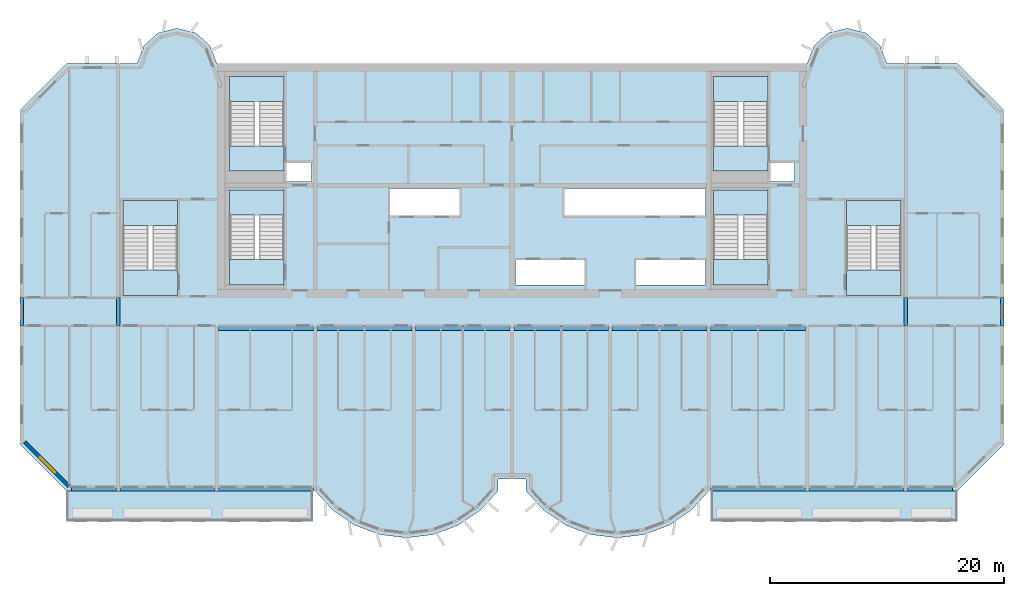
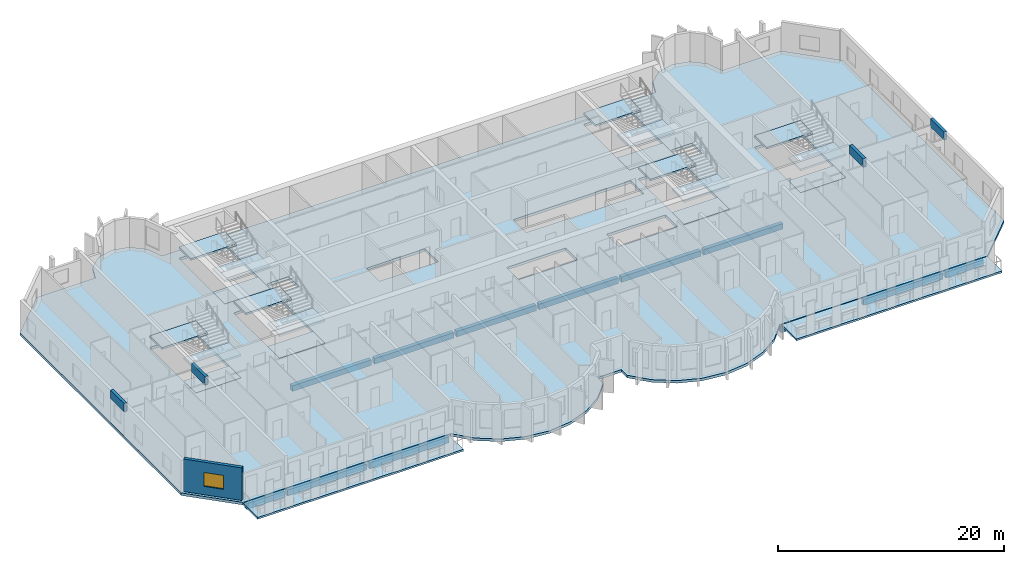
# One storey, part 1 of 13: 21 slabs, 16 beams, 1 wall, 1 window, 1 opening, 6 elements without a shape of their own.
"""IFC4 building model written with IfcOpenShell, lengths in metres."""

from ifc_helpers import new_model, si_unit, direction, frame, frame_2d, origin, origin_2d, place, context, subcontext, project, spatial, polyline, rectangle, outline, extrude, source, transform, mapped, material, layer, layer_set, material_profile, profile_set, type_object, element, fill, aggregate, save


model = new_model("IFC4")

# Units and contexts
model_context = context("Model", 3, precision=1e-05, world=origin(), true_north=direction((0.0, 1.0)))
body_context = subcontext(model_context, "Body", "Model", "MODEL_VIEW")
ifc_project = project(units=[si_unit("LENGTHUNIT", "METRE"), si_unit("AREAUNIT", "SQUARE_METRE"), si_unit("VOLUMEUNIT", "CUBIC_METRE"), si_unit("PLANEANGLEUNIT", "RADIAN"), si_unit("MASSUNIT", "GRAM", prefix="KILO")], contexts=[model_context])

# Site, building, storey
site_placement = place(None, origin())
site = spatial("IfcSite", under=ifc_project, at=site_placement, CompositionType="ELEMENT")
building_placement = place(site_placement, origin())
building = spatial("IfcBuilding", under=site, at=building_placement, Name="Vanashikhar Sky Hotel", CompositionType="ELEMENT")
storey_placement = place(building_placement, frame((0.0, 0.0, 178.199951171875)))
storey = spatial("IfcBuildingStorey", under=building, at=storey_placement, Name="L43", CompositionType="ELEMENT", Elevation=178.199951171875)

# Beams
ifc_material_1 = material(Name="Concrete M50", Category="concrete")
ifc_material_profile_1 = material_profile(ifc_material_1, rectangle(XDim=0.300048828125, YDim=0.89990234375, at=origin_2d()))
ifc_profile_set_1 = profile_set([ifc_material_profile_1], Name="RC 300x900 beam Concrete M50")
beam_type_1 = type_object("IfcBeamType", Name="RC 300x900 beam Concrete M50", PredefinedType="LINTEL", material=ifc_profile_set_1)
shared_shape_1 = source(origin(), body_context, "Body", "SweptSolid", [
    extrude(rectangle(XDim=0.300048828125, YDim=0.89990234375, at=origin_2d()), origin(), (0.0, 0.0, 1.0), 2.39990234375),
])
for number, where, z_axis, x_axis, name in (
    (1, (8.550048828125, 19.60009765625, 3.070068359375), (0.0, 1.0, 0.0), (-1.0, 0.0, 0.0), "LB-L43-XW02"),
    (2, (16.800048828125, 19.60009765625, 3.070068359375), (0.0, 1.0, 0.0), (-1.0, 0.0, 0.0), "LB-L43-XW03"),
    (3, (84.0, 19.60009765625, 3.070068359375), (0.0, 1.0, 0.0), (-1.0, 0.0, 0.0), "LB-L43-XW11"),
    (4, (92.25, 19.60009765625, 3.070068359375), (0.0, 1.0, 0.0), (-1.0, 0.0, 0.0), "LB-L43-XW12"),
):
    element("IfcBeam", number, at=place(storey_placement, frame(where, z_axis=z_axis, x_axis=x_axis)), inside=storey, type_object=beam_type_1, Name=name, PredefinedType="LINTEL", context=body_context, shape_type="MappedRepresentation", body=[
        mapped(shared_shape_1, transform((0.0, 0.0, 0.0), scale=1.0)),
    ])
ifc_material_profile_2 = material_profile(ifc_material_1, rectangle(XDim=0.39990234375, YDim=0.64990234375, at=origin_2d()))
ifc_profile_set_2 = profile_set([ifc_material_profile_2], Name="RC 400x650 beam Concrete M50")
beam_type_2 = type_object("IfcBeamType", Name="RC 400x650 beam Concrete M50", PredefinedType="BEAM", material=ifc_profile_set_2)
shared_shape_2 = source(origin(), body_context, "Body", "SweptSolid", [
    extrude(rectangle(XDim=0.39990234375, YDim=0.64990234375, at=origin_2d()), origin(), (0.0, 0.0, 1.0), 8.10009765625),
])
for number, where, z_axis, x_axis, name in (
    (5, (16.949951171875, 5.699951171875, -0.60498046875), (1.0, 0.0, 0.0), (0.0, 1.0, 0.0), "EB-L43-F01"),
    (6, (75.75, 5.699951171875, -0.60498046875), (1.0, 0.0, 0.0), (0.0, 1.0, 0.0), "EB-L43-F05"),
):
    element("IfcBeam", number, at=place(storey_placement, frame(where, z_axis=z_axis, x_axis=x_axis)), inside=storey, type_object=beam_type_2, Name=name, PredefinedType="BEAM", context=body_context, shape_type="MappedRepresentation", body=[
        mapped(shared_shape_2, transform((0.0, 0.0, 0.0), scale=1.0)),
    ])
shared_shape_3 = source(origin(), body_context, "Body", "SweptSolid", [
    extrude(rectangle(XDim=0.39990234375, YDim=0.64990234375, at=origin_2d()), origin(), (0.0, 0.0, 1.0), 8.099853515625),
])
for number, where, z_axis, x_axis, name in (
    (7, (25.35009765625, 5.699951171875, -0.60498046875), (1.0, 0.0, 0.0), (0.0, 1.0, 0.0), "EB-L43-F02"),
    (8, (67.35009765625, 5.699951171875, -0.60498046875), (1.0, 0.0, 0.0), (0.0, 1.0, 0.0), "EB-L43-F04"),
):
    element("IfcBeam", number, at=place(storey_placement, frame(where, z_axis=z_axis, x_axis=x_axis)), inside=storey, type_object=beam_type_2, Name=name, PredefinedType="BEAM", context=body_context, shape_type="MappedRepresentation", body=[
        mapped(shared_shape_3, transform((0.0, 0.0, 0.0), scale=1.0)),
    ])
ifc_material_profile_3 = material_profile(ifc_material_1, rectangle(XDim=0.39990234375, YDim=0.64990234375, at=origin_2d()))
ifc_profile_set_3 = profile_set([ifc_material_profile_3], Name="RC 400x650 cantilever beam Concrete M50")
beam_type_3 = type_object("IfcBeamType", Name="RC 400x650 cantilever beam Concrete M50", PredefinedType="SPANDREL", material=ifc_profile_set_3)
shared_shape_4 = source(origin(), body_context, "Body", "SweptSolid", [
    extrude(rectangle(XDim=0.39990234375, YDim=0.64990234375, at=origin_2d()), origin(), (0.0, 0.0, 1.0), 3.849853515625),
])
beam_1_placement = place(storey_placement, frame((12.800048828125, 5.699951171875, -0.60498046875), z_axis=(1.0, 0.0, 0.0), x_axis=(0.0, 1.0, 0.0)))
element("IfcBeam", 9, at=beam_1_placement, inside=storey, type_object=beam_type_3, Name="EB-L43-F03", PredefinedType="SPANDREL", context=body_context, shape_type="MappedRepresentation", body=[
    mapped(shared_shape_4, transform((0.0, 0.0, 0.0), scale=1.0)),
])
shared_shape_5 = source(origin(), body_context, "Body", "SweptSolid", [
    extrude(rectangle(XDim=0.39990234375, YDim=0.64990234375, at=origin_2d()), origin(), (0.0, 0.0, 1.0), 3.85009765625),
])
beam_2_placement = place(storey_placement, frame((84.14990234375, 5.699951171875, -0.60498046875), z_axis=(1.0, 0.0, 0.0), x_axis=(0.0, 1.0, 0.0)))
element("IfcBeam", 10, at=beam_2_placement, inside=storey, type_object=beam_type_3, Name="EB-L43-F06", PredefinedType="SPANDREL", context=body_context, shape_type="MappedRepresentation", body=[
    mapped(shared_shape_5, transform((0.0, 0.0, 0.0), scale=1.0)),
])
ifc_material_profile_4 = material_profile(ifc_material_1, rectangle(XDim=0.39990234375, YDim=0.60009765625, at=origin_2d()))
ifc_profile_set_4 = profile_set([ifc_material_profile_4], Name="RC 400x600 beam Concrete M50")
beam_type_4 = type_object("IfcBeamType", Name="RC 400x600 beam Concrete M50", PredefinedType="BEAM", material=ifc_profile_set_4)
shared_shape_6 = source(origin(), body_context, "Body", "SweptSolid", [
    extrude(rectangle(XDim=0.39990234375, YDim=0.60009765625, at=origin_2d()), origin(), (0.0, 0.0, 1.0), 8.099853515625),
])
for number, where, z_axis, x_axis, name in (
    (11, (25.35009765625, 19.39990234375, -0.579833984375), (1.0, 0.0, 0.0), (0.0, 1.0, 0.0), "CB-L43-01"),
    (12, (50.550048828125, 19.39990234375, -0.579833984375), (1.0, 0.0, 0.0), (0.0, 1.0, 0.0), "CB-L43-04"),
    (13, (67.35009765625, 19.39990234375, -0.579833984375), (1.0, 0.0, 0.0), (0.0, 1.0, 0.0), "CB-L43-06"),
):
    element("IfcBeam", number, at=place(storey_placement, frame(where, z_axis=z_axis, x_axis=x_axis)), inside=storey, type_object=beam_type_4, Name=name, PredefinedType="BEAM", context=body_context, shape_type="MappedRepresentation", body=[
        mapped(shared_shape_6, transform((0.0, 0.0, 0.0), scale=1.0)),
    ])
shared_shape_7 = source(origin(), body_context, "Body", "SweptSolid", [
    extrude(rectangle(XDim=0.39990234375, YDim=0.60009765625, at=origin_2d()), origin(), (0.0, 0.0, 1.0), 8.10009765625),
])
for number, where, z_axis, x_axis, name in (
    (14, (33.75, 19.39990234375, -0.579833984375), (1.0, 0.0, 0.0), (0.0, 1.0, 0.0), "CB-L43-02"),
    (15, (42.14990234375, 19.39990234375, -0.579833984375), (1.0, 0.0, 0.0), (0.0, 1.0, 0.0), "CB-L43-03"),
    (16, (58.949951171875, 19.39990234375, -0.579833984375), (1.0, 0.0, 0.0), (0.0, 1.0, 0.0), "CB-L43-05"),
):
    element("IfcBeam", number, at=place(storey_placement, frame(where, z_axis=z_axis, x_axis=x_axis)), inside=storey, type_object=beam_type_4, Name=name, PredefinedType="BEAM", context=body_context, shape_type="MappedRepresentation", body=[
        mapped(shared_shape_7, transform((0.0, 0.0, 0.0), scale=1.0)),
    ])

# Slabs
ifc_material_2 = material(Name="Concrete M40", Category="concrete")
ifc_layer_1 = layer(ifc_material_2, 0.280029296875)
ifc_layer_set_1 = layer_set([ifc_layer_1], Name="Floor slab 280 mm")
slab_type_1 = type_object("IfcSlabType", Name="Floor slab 280 mm", PredefinedType="FLOOR", material=ifc_layer_set_1)
shared_shape_8 = source(origin(), body_context, "Body", "SweptSolid", [
    extrude(outline(polyline([(49.199951171875, 5.5), (49.199951171875, 6.5), (51.60009765625, 6.5), (51.60009765625, 5.5), (53.133056640625, 3.825927734375), (55.01708984375, 2.55810546875), (57.14599609375, 1.76806640625), (59.39990234375, 1.5), (61.654052734375, 1.76806640625), (63.782958984375, 2.55810546875), (65.6669921875, 3.825927734375), (67.199951171875, 5.5), (88.39990234375, 5.5), (92.39990234375, 9.5), (92.39990234375, 38.0), (88.39990234375, 42.0), (82.39990234375, 42.0), (81.81494140625, 43.527099609375), (80.587890625, 44.610107421875), (79.0, 45.0), (77.412109375, 44.610107421875), (76.18505859375, 43.527099609375), (75.60009765625, 42.0), (25.199951171875, 42.0), (24.614990234375, 43.527099609375), (23.387939453125, 44.610107421875), (21.800048828125, 45.0), (20.2119140625, 44.610107421875), (18.985107421875, 43.527099609375), (18.39990234375, 42.0), (12.39990234375, 42.0), (8.39990234375, 38.0), (8.39990234375, 9.5), (12.39990234375, 5.5), (33.60009765625, 5.5), (35.133056640625, 3.825927734375), (37.01708984375, 2.55810546875), (39.14599609375, 1.76806640625), (41.39990234375, 1.5), (43.654052734375, 1.76806640625), (45.782958984375, 2.55810546875), (47.6669921875, 3.825927734375), (49.199951171875, 5.5)]), holes=[polyline([(33.300048828125, 33.60009765625), (31.050048828125, 33.60009765625), (31.050048828125, 31.89990234375), (33.300048828125, 31.89990234375), (33.300048828125, 33.60009765625)]), polyline([(39.89990234375, 31.300048828125), (39.89990234375, 29.0), (45.89990234375, 29.0), (45.89990234375, 31.300048828125), (39.89990234375, 31.300048828125)]), polyline([(50.699951171875, 25.199951171875), (50.699951171875, 23.10009765625), (56.699951171875, 23.10009765625), (56.699951171875, 25.199951171875), (50.699951171875, 25.199951171875)]), polyline([(66.89990234375, 29.0), (66.89990234375, 31.300048828125), (54.89990234375, 31.300048828125), (54.89990234375, 29.0), (66.89990234375, 29.0)]), polyline([(60.89990234375, 25.199951171875), (60.89990234375, 23.10009765625), (66.89990234375, 23.10009765625), (66.89990234375, 25.199951171875), (60.89990234375, 25.199951171875)]), polyline([(74.5, 33.60009765625), (72.35009765625, 33.60009765625), (72.35009765625, 31.89990234375), (74.5, 31.89990234375), (74.5, 33.60009765625)]), polyline([(30.949951171875, 23.10009765625), (30.949951171875, 31.199951171875), (26.300048828125, 31.199951171875), (26.300048828125, 23.10009765625), (30.949951171875, 23.10009765625)]), polyline([(72.25, 23.10009765625), (72.25, 31.199951171875), (67.60009765625, 31.199951171875), (67.60009765625, 23.10009765625), (72.25, 23.10009765625)]), polyline([(30.949951171875, 32.800048828125), (30.949951171875, 40.89990234375), (26.300048828125, 40.89990234375), (26.300048828125, 32.800048828125), (30.949951171875, 32.800048828125)]), polyline([(72.25, 32.800048828125), (72.25, 40.89990234375), (67.60009765625, 40.89990234375), (67.60009765625, 32.800048828125), (72.25, 32.800048828125)]), polyline([(83.60009765625, 22.199951171875), (83.60009765625, 30.300048828125), (78.949951171875, 30.300048828125), (78.949951171875, 22.199951171875), (83.60009765625, 22.199951171875)]), polyline([(21.85009765625, 22.199951171875), (21.85009765625, 30.300048828125), (17.199951171875, 30.300048828125), (17.199951171875, 22.199951171875), (21.85009765625, 22.199951171875)])]), origin(), (0.0, 0.0, 1.0), 0.280029296875),
])
slab_1_placement = place(storey_placement, frame((0.0, 0.0, -0.280029296875)))
element("IfcSlab", 17, at=slab_1_placement, inside=storey, type_object=slab_type_1, Name="Floor slab L43", PredefinedType="FLOOR", context=body_context, shape_type="MappedRepresentation", body=[
    mapped(shared_shape_8, transform((0.0, 0.0, 0.0), scale=1.0)),
])
ifc_layer_2 = layer(ifc_material_2, 0.199951171875)
ifc_layer_set_2 = layer_set([ifc_layer_2], Name="Balcony slab 200 mm")
slab_type_2 = type_object("IfcSlabType", Name="Balcony slab 200 mm", PredefinedType="USERDEFINED", material=ifc_layer_set_2)
shared_shape_9 = source(origin(), body_context, "Body", "SweptSolid", [
    extrude(outline(polyline([(12.39990234375, 2.89990234375), (33.39990234375, 2.89990234375), (33.39990234375, 5.5), (12.39990234375, 5.5), (12.39990234375, 2.89990234375)])), origin(), (0.0, 0.0, 1.0), 0.199951171875),
])
slab_2_placement = place(storey_placement, frame((0.0, 0.0, -0.25)))
element("IfcSlab", 18, at=slab_2_placement, inside=storey, type_object=slab_type_2, Name="Balcony slab L43 1", ObjectType="BALCONY", PredefinedType="USERDEFINED", context=body_context, shape_type="MappedRepresentation", body=[
    mapped(shared_shape_9, transform((0.0, 0.0, 0.0), scale=1.0)),
])
shared_shape_10 = source(origin(), body_context, "Body", "SweptSolid", [
    extrude(outline(polyline([(67.39990234375, 2.89990234375), (88.39990234375, 2.89990234375), (88.39990234375, 5.5), (67.39990234375, 5.5), (67.39990234375, 2.89990234375)])), origin(), (0.0, 0.0, 1.0), 0.199951171875),
])
slab_3_placement = place(storey_placement, frame((0.0, 0.0, -0.25)))
element("IfcSlab", 19, at=slab_3_placement, inside=storey, type_object=slab_type_2, Name="Balcony slab L43 2", ObjectType="BALCONY", PredefinedType="USERDEFINED", context=body_context, shape_type="MappedRepresentation", body=[
    mapped(shared_shape_10, transform((0.0, 0.0, 0.0), scale=1.0)),
])

# Stair, slabs
stair_type = type_object("IfcStairType", Name="Exit stair 2150", PredefinedType="DOUBLE_RETURN_STAIR", material=ifc_material_2)
stair_1_placement = place(storey_placement, origin())
stair_1 = element("IfcStair", 20, at=stair_1_placement, inside=storey, type_object=stair_type, Name="L43 Exit stair 1", PredefinedType="DOUBLE_RETURN_STAIR")
ifc_layer_3 = layer(ifc_material_2, 0.199951171875)
ifc_layer_set_3 = layer_set([ifc_layer_3], Name="Stair landing 200")
slab_type_3 = type_object("IfcSlabType", Name="Stair landing 200", PredefinedType="LANDING", material=ifc_layer_set_3)
shared_shape_11 = source(origin(), body_context, "Body", "SweptSolid", [
    extrude(outline(polyline([(30.949951171875, 29.050048828125), (30.949951171875, 31.199951171875), (26.300048828125, 31.199951171875), (26.300048828125, 29.050048828125), (30.949951171875, 29.050048828125)])), origin(), (0.0, 0.0, 1.0), 0.199951171875),
])
slab_4_placement = place(storey_placement, frame((0.0, 0.0, 1.066650390625)))
slab_4 = element("IfcSlab", 21, at=slab_4_placement, type_object=slab_type_3, Name="ST-C1 landing 1", PredefinedType="LANDING", context=body_context, shape_type="MappedRepresentation", body=[
    mapped(shared_shape_11, transform((0.0, 0.0, 0.0), scale=1.0)),
])
shared_shape_12 = source(origin(), body_context, "Body", "SweptSolid", [
    extrude(outline(polyline([(30.949951171875, 23.10009765625), (30.949951171875, 25.25), (26.300048828125, 25.25), (26.300048828125, 23.10009765625), (30.949951171875, 23.10009765625)])), origin(), (0.0, 0.0, 1.0), 0.199951171875),
])
slab_5_placement = place(storey_placement, frame((0.0, 0.0, 2.33349609375)))
slab_5 = element("IfcSlab", 22, at=slab_5_placement, type_object=slab_type_3, Name="ST-C1 landing 2", PredefinedType="LANDING", context=body_context, shape_type="MappedRepresentation", body=[
    mapped(shared_shape_12, transform((0.0, 0.0, 0.0), scale=1.0)),
])
aggregate(stair_1, [slab_4, slab_5])

# Slab
ifc_layer_4 = layer(ifc_material_2, 0.280029296875)
ifc_layer_set_4 = layer_set([ifc_layer_4], Name="Stair floor landing 280")
slab_type_4 = type_object("IfcSlabType", Name="Stair floor landing 280", PredefinedType="LANDING", material=ifc_layer_set_4)
shared_shape_13 = source(origin(), body_context, "Body", "SweptSolid", [
    extrude(outline(polyline([(30.949951171875, 23.10009765625), (30.949951171875, 25.25), (26.300048828125, 25.25), (26.300048828125, 23.10009765625), (30.949951171875, 23.10009765625)])), origin(), (0.0, 0.0, 1.0), 0.280029296875),
])
slab_6_placement = place(storey_placement, frame((0.0, 0.0, -0.280029296875)))
element("IfcSlab", 23, at=slab_6_placement, inside=storey, type_object=slab_type_4, Name="Exit stair 1 floor landing", PredefinedType="LANDING", context=body_context, shape_type="MappedRepresentation", body=[
    mapped(shared_shape_13, transform((0.0, 0.0, 0.0), scale=1.0)),
])

# Stair, slabs
stair_2_placement = place(storey_placement, origin())
stair_2 = element("IfcStair", 24, at=stair_2_placement, inside=storey, type_object=stair_type, Name="L43 Exit stair 2", PredefinedType="DOUBLE_RETURN_STAIR")
shared_shape_14 = source(origin(), body_context, "Body", "SweptSolid", [
    extrude(outline(polyline([(72.25, 29.050048828125), (72.25, 31.199951171875), (67.60009765625, 31.199951171875), (67.60009765625, 29.050048828125), (72.25, 29.050048828125)])), origin(), (0.0, 0.0, 1.0), 0.199951171875),
])
slab_7_placement = place(storey_placement, frame((0.0, 0.0, 1.066650390625)))
slab_7 = element("IfcSlab", 25, at=slab_7_placement, type_object=slab_type_3, Name="ST-C2 landing 1", PredefinedType="LANDING", context=body_context, shape_type="MappedRepresentation", body=[
    mapped(shared_shape_14, transform((0.0, 0.0, 0.0), scale=1.0)),
])
shared_shape_15 = source(origin(), body_context, "Body", "SweptSolid", [
    extrude(outline(polyline([(72.25, 23.10009765625), (72.25, 25.25), (67.60009765625, 25.25), (67.60009765625, 23.10009765625), (72.25, 23.10009765625)])), origin(), (0.0, 0.0, 1.0), 0.199951171875),
])
slab_8_placement = place(storey_placement, frame((0.0, 0.0, 2.33349609375)))
slab_8 = element("IfcSlab", 26, at=slab_8_placement, type_object=slab_type_3, Name="ST-C2 landing 2", PredefinedType="LANDING", context=body_context, shape_type="MappedRepresentation", body=[
    mapped(shared_shape_15, transform((0.0, 0.0, 0.0), scale=1.0)),
])
aggregate(stair_2, [slab_7, slab_8])

# Slab
shared_shape_16 = source(origin(), body_context, "Body", "SweptSolid", [
    extrude(outline(polyline([(72.25, 23.10009765625), (72.25, 25.25), (67.60009765625, 25.25), (67.60009765625, 23.10009765625), (72.25, 23.10009765625)])), origin(), (0.0, 0.0, 1.0), 0.280029296875),
])
slab_9_placement = place(storey_placement, frame((0.0, 0.0, -0.280029296875)))
element("IfcSlab", 27, at=slab_9_placement, inside=storey, type_object=slab_type_4, Name="Exit stair 2 floor landing", PredefinedType="LANDING", context=body_context, shape_type="MappedRepresentation", body=[
    mapped(shared_shape_16, transform((0.0, 0.0, 0.0), scale=1.0)),
])

# Stair, slabs
stair_3_placement = place(storey_placement, origin())
stair_3 = element("IfcStair", 28, at=stair_3_placement, inside=storey, type_object=stair_type, Name="L43 Exit stair 3", PredefinedType="DOUBLE_RETURN_STAIR")
shared_shape_17 = source(origin(), body_context, "Body", "SweptSolid", [
    extrude(outline(polyline([(21.85009765625, 28.14990234375), (21.85009765625, 30.300048828125), (17.199951171875, 30.300048828125), (17.199951171875, 28.14990234375), (21.85009765625, 28.14990234375)])), origin(), (0.0, 0.0, 1.0), 0.199951171875),
])
slab_10_placement = place(storey_placement, frame((0.0, 0.0, 1.066650390625)))
slab_10 = element("IfcSlab", 29, at=slab_10_placement, type_object=slab_type_3, Name="ST-W landing 1", PredefinedType="LANDING", context=body_context, shape_type="MappedRepresentation", body=[
    mapped(shared_shape_17, transform((0.0, 0.0, 0.0), scale=1.0)),
])
shared_shape_18 = source(origin(), body_context, "Body", "SweptSolid", [
    extrude(outline(polyline([(21.85009765625, 22.199951171875), (21.85009765625, 24.35009765625), (17.199951171875, 24.35009765625), (17.199951171875, 22.199951171875), (21.85009765625, 22.199951171875)])), origin(), (0.0, 0.0, 1.0), 0.199951171875),
])
slab_11_placement = place(storey_placement, frame((0.0, 0.0, 2.33349609375)))
slab_11 = element("IfcSlab", 30, at=slab_11_placement, type_object=slab_type_3, Name="ST-W landing 2", PredefinedType="LANDING", context=body_context, shape_type="MappedRepresentation", body=[
    mapped(shared_shape_18, transform((0.0, 0.0, 0.0), scale=1.0)),
])
aggregate(stair_3, [slab_10, slab_11])

# Slab
shared_shape_19 = source(origin(), body_context, "Body", "SweptSolid", [
    extrude(outline(polyline([(21.85009765625, 22.199951171875), (21.85009765625, 24.35009765625), (17.199951171875, 24.35009765625), (17.199951171875, 22.199951171875), (21.85009765625, 22.199951171875)])), origin(), (0.0, 0.0, 1.0), 0.280029296875),
])
slab_12_placement = place(storey_placement, frame((0.0, 0.0, -0.280029296875)))
element("IfcSlab", 31, at=slab_12_placement, inside=storey, type_object=slab_type_4, Name="Exit stair 3 floor landing", PredefinedType="LANDING", context=body_context, shape_type="MappedRepresentation", body=[
    mapped(shared_shape_19, transform((0.0, 0.0, 0.0), scale=1.0)),
])

# Stair, slabs
stair_4_placement = place(storey_placement, origin())
stair_4 = element("IfcStair", 32, at=stair_4_placement, inside=storey, type_object=stair_type, Name="L43 Exit stair 4", PredefinedType="DOUBLE_RETURN_STAIR")
shared_shape_20 = source(origin(), body_context, "Body", "SweptSolid", [
    extrude(outline(polyline([(83.60009765625, 28.14990234375), (83.60009765625, 30.300048828125), (78.949951171875, 30.300048828125), (78.949951171875, 28.14990234375), (83.60009765625, 28.14990234375)])), origin(), (0.0, 0.0, 1.0), 0.199951171875),
])
slab_13_placement = place(storey_placement, frame((0.0, 0.0, 1.066650390625)))
slab_13 = element("IfcSlab", 33, at=slab_13_placement, type_object=slab_type_3, Name="ST-E landing 1", PredefinedType="LANDING", context=body_context, shape_type="MappedRepresentation", body=[
    mapped(shared_shape_20, transform((0.0, 0.0, 0.0), scale=1.0)),
])
shared_shape_21 = source(origin(), body_context, "Body", "SweptSolid", [
    extrude(outline(polyline([(83.60009765625, 22.199951171875), (83.60009765625, 24.35009765625), (78.949951171875, 24.35009765625), (78.949951171875, 22.199951171875), (83.60009765625, 22.199951171875)])), origin(), (0.0, 0.0, 1.0), 0.199951171875),
])
slab_14_placement = place(storey_placement, frame((0.0, 0.0, 2.33349609375)))
slab_14 = element("IfcSlab", 34, at=slab_14_placement, type_object=slab_type_3, Name="ST-E landing 2", PredefinedType="LANDING", context=body_context, shape_type="MappedRepresentation", body=[
    mapped(shared_shape_21, transform((0.0, 0.0, 0.0), scale=1.0)),
])
aggregate(stair_4, [slab_13, slab_14])

# Slab
shared_shape_22 = source(origin(), body_context, "Body", "SweptSolid", [
    extrude(outline(polyline([(83.60009765625, 22.199951171875), (83.60009765625, 24.35009765625), (78.949951171875, 24.35009765625), (78.949951171875, 22.199951171875), (83.60009765625, 22.199951171875)])), origin(), (0.0, 0.0, 1.0), 0.280029296875),
])
slab_15_placement = place(storey_placement, frame((0.0, 0.0, -0.280029296875)))
element("IfcSlab", 35, at=slab_15_placement, inside=storey, type_object=slab_type_4, Name="Exit stair 4 floor landing", PredefinedType="LANDING", context=body_context, shape_type="MappedRepresentation", body=[
    mapped(shared_shape_22, transform((0.0, 0.0, 0.0), scale=1.0)),
])

# Stair, slabs
stair_5_placement = place(storey_placement, origin())
stair_5 = element("IfcStair", 36, at=stair_5_placement, inside=storey, type_object=stair_type, Name="L43 Exit stair 5", PredefinedType="DOUBLE_RETURN_STAIR")
shared_shape_23 = source(origin(), body_context, "Body", "SweptSolid", [
    extrude(outline(polyline([(30.949951171875, 38.75), (30.949951171875, 40.89990234375), (26.300048828125, 40.89990234375), (26.300048828125, 38.75), (30.949951171875, 38.75)])), origin(), (0.0, 0.0, 1.0), 0.199951171875),
])
slab_16_placement = place(storey_placement, frame((0.0, 0.0, 1.066650390625)))
slab_16 = element("IfcSlab", 37, at=slab_16_placement, type_object=slab_type_3, Name="ST-C3 landing 1", PredefinedType="LANDING", context=body_context, shape_type="MappedRepresentation", body=[
    mapped(shared_shape_23, transform((0.0, 0.0, 0.0), scale=1.0)),
])
shared_shape_24 = source(origin(), body_context, "Body", "SweptSolid", [
    extrude(outline(polyline([(30.949951171875, 32.800048828125), (30.949951171875, 34.949951171875), (26.300048828125, 34.949951171875), (26.300048828125, 32.800048828125), (30.949951171875, 32.800048828125)])), origin(), (0.0, 0.0, 1.0), 0.199951171875),
])
slab_17_placement = place(storey_placement, frame((0.0, 0.0, 2.33349609375)))
slab_17 = element("IfcSlab", 38, at=slab_17_placement, type_object=slab_type_3, Name="ST-C3 landing 2", PredefinedType="LANDING", context=body_context, shape_type="MappedRepresentation", body=[
    mapped(shared_shape_24, transform((0.0, 0.0, 0.0), scale=1.0)),
])
aggregate(stair_5, [slab_16, slab_17])

# Slab
shared_shape_25 = source(origin(), body_context, "Body", "SweptSolid", [
    extrude(outline(polyline([(30.949951171875, 32.800048828125), (30.949951171875, 34.949951171875), (26.300048828125, 34.949951171875), (26.300048828125, 32.800048828125), (30.949951171875, 32.800048828125)])), origin(), (0.0, 0.0, 1.0), 0.280029296875),
])
slab_18_placement = place(storey_placement, frame((0.0, 0.0, -0.280029296875)))
element("IfcSlab", 39, at=slab_18_placement, inside=storey, type_object=slab_type_4, Name="Exit stair 5 floor landing", PredefinedType="LANDING", context=body_context, shape_type="MappedRepresentation", body=[
    mapped(shared_shape_25, transform((0.0, 0.0, 0.0), scale=1.0)),
])

# Stair, slabs
stair_6_placement = place(storey_placement, origin())
stair_6 = element("IfcStair", 40, at=stair_6_placement, inside=storey, type_object=stair_type, Name="L43 Exit stair 6", PredefinedType="DOUBLE_RETURN_STAIR")
shared_shape_26 = source(origin(), body_context, "Body", "SweptSolid", [
    extrude(outline(polyline([(72.25, 38.75), (72.25, 40.89990234375), (67.60009765625, 40.89990234375), (67.60009765625, 38.75), (72.25, 38.75)])), origin(), (0.0, 0.0, 1.0), 0.199951171875),
])
slab_19_placement = place(storey_placement, frame((0.0, 0.0, 1.066650390625)))
slab_19 = element("IfcSlab", 41, at=slab_19_placement, type_object=slab_type_3, Name="ST-C4 landing 1", PredefinedType="LANDING", context=body_context, shape_type="MappedRepresentation", body=[
    mapped(shared_shape_26, transform((0.0, 0.0, 0.0), scale=1.0)),
])
shared_shape_27 = source(origin(), body_context, "Body", "SweptSolid", [
    extrude(outline(polyline([(72.25, 32.800048828125), (72.25, 34.949951171875), (67.60009765625, 34.949951171875), (67.60009765625, 32.800048828125), (72.25, 32.800048828125)])), origin(), (0.0, 0.0, 1.0), 0.199951171875),
])
slab_20_placement = place(storey_placement, frame((0.0, 0.0, 2.33349609375)))
slab_20 = element("IfcSlab", 42, at=slab_20_placement, type_object=slab_type_3, Name="ST-C4 landing 2", PredefinedType="LANDING", context=body_context, shape_type="MappedRepresentation", body=[
    mapped(shared_shape_27, transform((0.0, 0.0, 0.0), scale=1.0)),
])
aggregate(stair_6, [slab_19, slab_20])

# Slab
shared_shape_28 = source(origin(), body_context, "Body", "SweptSolid", [
    extrude(outline(polyline([(72.25, 32.800048828125), (72.25, 34.949951171875), (67.60009765625, 34.949951171875), (67.60009765625, 32.800048828125), (72.25, 32.800048828125)])), origin(), (0.0, 0.0, 1.0), 0.280029296875),
])
slab_21_placement = place(storey_placement, frame((0.0, 0.0, -0.280029296875)))
element("IfcSlab", 43, at=slab_21_placement, inside=storey, type_object=slab_type_4, Name="Exit stair 6 floor landing", PredefinedType="LANDING", context=body_context, shape_type="MappedRepresentation", body=[
    mapped(shared_shape_28, transform((0.0, 0.0, 0.0), scale=1.0)),
])

# Wall, opening, window
ifc_layer_5 = layer(ifc_material_1, 0.300048828125)
ifc_layer_set_5 = layer_set([ifc_layer_5], Name="Lobe wall 300")
wall_type = type_object("IfcWallType", Name="Lobe wall 300", PredefinedType="SOLIDWALL", material=ifc_layer_set_5)
shared_shape_29 = source(origin(), body_context, "Body", "SweptSolid", [
    extrude(rectangle(XDim=5.32568359375, YDim=0.300048828125, at=frame_2d((2.662841796875, 0.0))), origin(), (0.0, 0.0, 1.0), 3.52001953125),
])
wall_placement = place(storey_placement, frame((8.800048828125, 9.665771484375, 0.0), z_axis=(0.0, 0.0, 1.0), x_axis=(0.707083859269, -0.707129702361, 0.0)))
wall = element("IfcWall", 44, at=wall_placement, inside=storey, type_object=wall_type, Name="Corner wall", PredefinedType="SOLIDWALL", context=body_context, shape_type="MappedRepresentation", body=[
    mapped(shared_shape_29, transform((0.0, 0.0, 0.0), scale=1.0)),
])
shared_shape_30 = source(origin(), body_context, "Body", "SweptSolid", [
    extrude(rectangle(XDim=1.800048828125, YDim=1.5, at=frame_2d((0.89990234375, 0.75))), frame((0.0, 0.16015625, 0.0), z_axis=(0.0, -1.0, 0.0), x_axis=(1.0, 0.0, 0.0)), (0.0, 0.0, 1.0), 0.320068359375),
])
opening_placement = place(wall_placement, frame((1.8359375, 0.0, 0.89990234375)))
opening = element("IfcOpeningElement", 45, at=opening_placement, cuts=wall, Name="Opening WN-4", PredefinedType="OPENING", context=body_context, shape_type="MappedRepresentation", body=[
    mapped(shared_shape_30, transform((0.0, 0.0, 0.0), scale=1.0)),
])
ifc_material_3 = material(Name="Glass", Category="glass")
window_type = type_object("IfcWindowType", Name="Corner window 1800 x 1500", PartitioningType="SINGLE_PANEL", PredefinedType="WINDOW", material=ifc_material_3)
shared_shape_31 = source(origin(), body_context, "Body", "SweptSolid", [
    extrude(rectangle(XDim=1.800048828125, YDim=1.5, at=frame_2d((0.89990234375, 0.75))), frame((0.0, 0.030029296875, 0.0), z_axis=(0.0, -1.0, 0.0), x_axis=(1.0, 0.0, 0.0)), (0.0, 0.0, 1.0), 0.06005859375),
])
window_placement = place(opening_placement, origin())
window = element("IfcWindow", 46, at=window_placement, inside=storey, type_object=window_type, Name="Window WN-4", OverallHeight=1.5, OverallWidth=1.800048828125, PartitioningType="SINGLE_PANEL", PredefinedType="WINDOW", context=body_context, shape_type="MappedRepresentation", body=[
    mapped(shared_shape_31, transform((0.0, 0.0, 0.0), scale=1.0)),
])
fill(opening, window)

save(model, "model.ifc")
